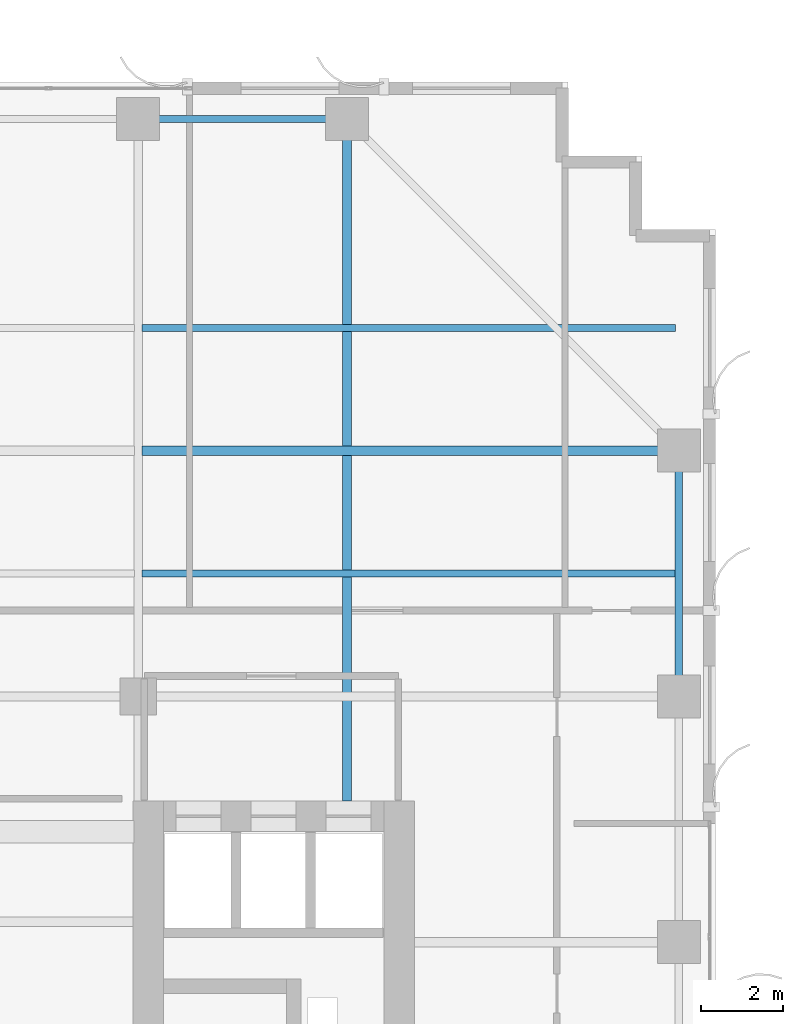
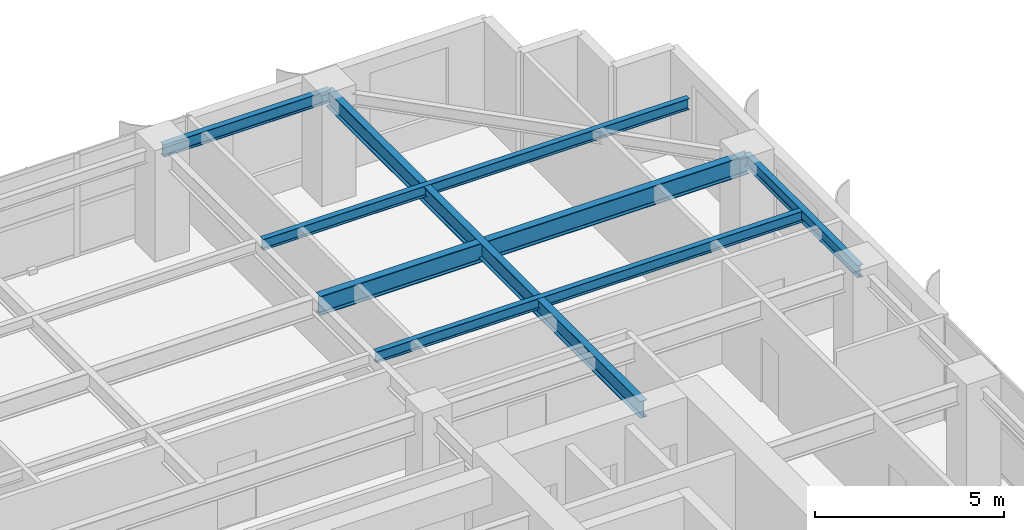
# One storey, part 17 of 26: 6 beams.
"""IFC4 building model written with IfcOpenShell, lengths in metres."""

from ifc_helpers import new_model, si_unit, direction, frame, origin, origin_2d, place, context, subcontext, project, spatial, i_section, extrude, source, transform, mapped, material, material_profile, profile_set, type_object, element, save


model = new_model("IFC4")

# Units and contexts
model_context = context("Model", 3, precision=1e-05, world=origin(), true_north=direction((0.0, 1.0)))
body_context = subcontext(model_context, "Body", "Model", "MODEL_VIEW")
ifc_project = project(units=[si_unit("LENGTHUNIT", "METRE"), si_unit("AREAUNIT", "SQUARE_METRE"), si_unit("VOLUMEUNIT", "CUBIC_METRE"), si_unit("PLANEANGLEUNIT", "RADIAN"), si_unit("MASSUNIT", "GRAM", prefix="KILO")], contexts=[model_context])

# Site, building, storey
site_placement = place(None, origin())
site = spatial("IfcSite", under=ifc_project, at=site_placement, CompositionType="ELEMENT")
building_placement = place(site_placement, origin())
building = spatial("IfcBuilding", under=site, at=building_placement, Name="Khoralis Quay Care Tower", CompositionType="ELEMENT")
storey_placement = place(building_placement, frame((0.0, 0.0, 126.89990234375)))
storey = spatial("IfcBuildingStorey", under=building, at=storey_placement, Name="L33", CompositionType="ELEMENT", Elevation=126.89990234375)

# Beams
ifc_material = material(Name="Steel S355", Category="steel")
ifc_material_profile_1 = material_profile(ifc_material, i_section(OverallWidth=0.179931640625, OverallDepth=0.39990234375, WebThickness=0.008544921875, FlangeThickness=0.013427734375, FilletRadius=0.02099609375, at=origin_2d()), Name="Steel S355")
ifc_profile_set_1 = profile_set([ifc_material_profile_1], Name="Steel S355")
beam_type_1 = type_object("IfcBeamType", Name="BM-IPE400", PredefinedType="SPANDREL", material=ifc_profile_set_1)
shared_shape_1 = source(origin(), body_context, "Body", "SweptSolid", [
    extrude(i_section(OverallWidth=0.179931640625, OverallDepth=0.39990234375, WebThickness=0.008544921875, FlangeThickness=0.013427734375, FilletRadius=0.02099609375, at=origin_2d()), origin(), (0.0, 0.0, 1.0), 6.0),
])
beam_1_placement = place(storey_placement, frame((44.10009765625, 30.0, 3.14013671875), z_axis=(0.0, 1.0, 0.0), x_axis=(-1.0, 0.0, 0.0)))
element("IfcBeam", 1, at=beam_1_placement, inside=storey, type_object=beam_type_1, Name="BM-TSP-L33-20", PredefinedType="SPANDREL", context=body_context, shape_type="MappedRepresentation", body=[
    mapped(shared_shape_1, transform((0.0, 0.0, 0.0), scale=1.0)),
])
shared_shape_2 = source(origin(), body_context, "Body", "SweptSolid", [
    extrude(i_section(OverallWidth=0.179931640625, OverallDepth=0.39990234375, WebThickness=0.008544921875, FlangeThickness=0.013427734375, FilletRadius=0.02099609375, at=origin_2d()), origin(), (0.0, 0.0, 1.0), 5.10009765625),
])
beam_2_placement = place(storey_placement, frame((30.89990234375, 44.10009765625, 3.14013671875), z_axis=(1.0, 0.0, 0.0), x_axis=(0.0, 1.0, 0.0)))
element("IfcBeam", 2, at=beam_2_placement, inside=storey, type_object=beam_type_1, Name="BM-TSP-L33-10", PredefinedType="SPANDREL", context=body_context, shape_type="MappedRepresentation", body=[
    mapped(shared_shape_2, transform((0.0, 0.0, 0.0), scale=1.0)),
])
ifc_material_profile_2 = material_profile(ifc_material, i_section(OverallWidth=0.22998046875, OverallDepth=0.616943359375, WebThickness=0.01318359375, FlangeThickness=0.022216796875, FilletRadius=0.01806640625, at=origin_2d()), Name="Steel S355")
ifc_profile_set_2 = profile_set([ifc_material_profile_2], Name="Steel S355")
beam_type_2 = type_object("IfcBeamType", Name="BM-W610X140", PredefinedType="BEAM", material=ifc_profile_set_2)
shared_shape_3 = source(origin(), body_context, "Body", "SweptSolid", [
    extrude(i_section(OverallWidth=0.22998046875, OverallDepth=0.616943359375, WebThickness=0.01318359375, FlangeThickness=0.022216796875, FilletRadius=0.01806640625, at=origin_2d()), origin(), (0.0, 0.0, 1.0), 13.106201171875),
])
beam_3_placement = place(storey_placement, frame((30.993896484375, 36.0, 3.031494140625), z_axis=(1.0, 0.0, 0.0), x_axis=(0.0, 1.0, 0.0)))
element("IfcBeam", 3, at=beam_3_placement, inside=storey, type_object=beam_type_2, Name="BM-TGXE-L33-360", PredefinedType="BEAM", context=body_context, shape_type="MappedRepresentation", body=[
    mapped(shared_shape_3, transform((0.0, 0.0, 0.0), scale=1.0)),
])
ifc_material_profile_3 = material_profile(ifc_material, i_section(OverallWidth=0.2119140625, OverallDepth=0.5439453125, WebThickness=0.01318359375, FlangeThickness=0.021240234375, FilletRadius=0.01611328125, at=origin_2d()), Name="Steel S355")
ifc_profile_set_3 = profile_set([ifc_material_profile_3], Name="Steel S355")
beam_type_3 = type_object("IfcBeamType", Name="BM-W530X123", PredefinedType="BEAM", material=ifc_profile_set_3)
shared_shape_4 = source(origin(), body_context, "Body", "SweptSolid", [
    extrude(i_section(OverallWidth=0.2119140625, OverallDepth=0.5439453125, WebThickness=0.01318359375, FlangeThickness=0.021240234375, FilletRadius=0.01611328125, at=origin_2d()), origin(), (0.0, 0.0, 1.0), 16.652099609375),
])
beam_4_placement = place(storey_placement, frame((36.0, 27.447998046875, 3.068115234375), z_axis=(0.0, 1.0, 0.0), x_axis=(-1.0, 0.0, 0.0)))
element("IfcBeam", 4, at=beam_4_placement, inside=storey, type_object=beam_type_3, Name="BM-TGYN-L33-360", PredefinedType="BEAM", context=body_context, shape_type="MappedRepresentation", body=[
    mapped(shared_shape_4, transform((0.0, 0.0, 0.0), scale=1.0)),
])
ifc_material_profile_4 = material_profile(ifc_material, i_section(OverallWidth=0.1708984375, OverallDepth=0.35498046875, WebThickness=0.007080078125, FlangeThickness=0.01171875, FilletRadius=0.012939453125, at=origin_2d()), Name="Steel S355")
ifc_profile_set_4 = profile_set([ifc_material_profile_4], Name="Steel S355")
beam_type_4 = type_object("IfcBeamType", Name="BM-W360X51", PredefinedType="JOIST", material=ifc_profile_set_4)
shared_shape_5 = source(origin(), body_context, "Body", "SweptSolid", [
    extrude(i_section(OverallWidth=0.1708984375, OverallDepth=0.35498046875, WebThickness=0.007080078125, FlangeThickness=0.01171875, FilletRadius=0.012939453125, at=origin_2d()), origin(), (0.0, 0.0, 1.0), 13.030029296875),
])
for number, where, z_axis, x_axis, name in (
    (5, (30.993896484375, 33.0, 3.16259765625), (1.0, 0.0, 0.0), (0.0, 1.0, 0.0), "BM-TJS-L33-29"),
    (6, (30.993896484375, 39.0, 3.16259765625), (1.0, 0.0, 0.0), (0.0, 1.0, 0.0), "BM-TJS-L33-32"),
):
    element("IfcBeam", number, at=place(storey_placement, frame(where, z_axis=z_axis, x_axis=x_axis)), inside=storey, type_object=beam_type_4, Name=name, PredefinedType="JOIST", context=body_context, shape_type="MappedRepresentation", body=[
        mapped(shared_shape_5, transform((0.0, 0.0, 0.0), scale=1.0)),
    ])

save(model, "model.ifc")
